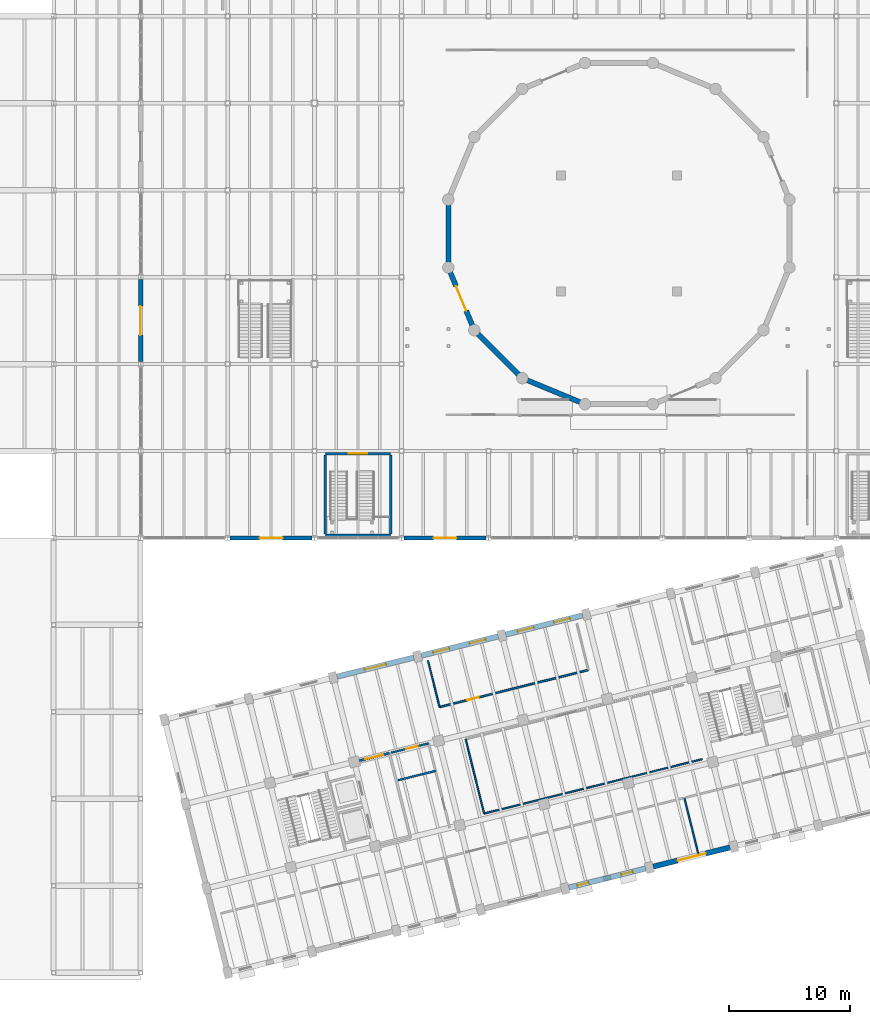
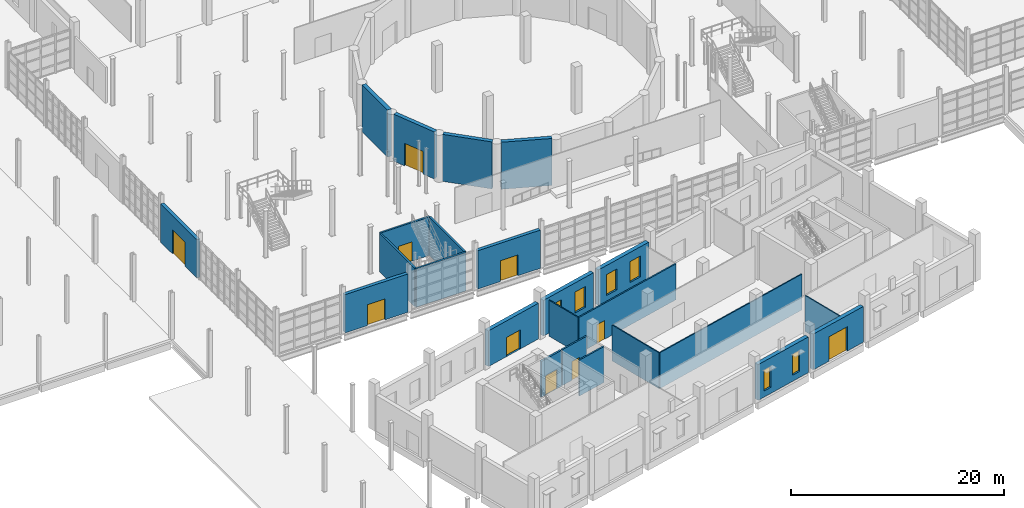
# One storey, part 64 of 79: 24 walls, 10 doors, 6 windows, 16 openings.
"""IFC4 building model written with IfcOpenShell, lengths in metres."""

from ifc_helpers import new_model, si_unit, direction, frame, frame_2d, origin, place, context, subcontext, project, spatial, rectangle, extrude, material, layer, layer_set, type_object, element, fill, save


model = new_model("IFC4")

# Units and contexts
model_context = context("Model", 3, precision=1e-05, world=origin(), true_north=direction((0.0, 1.0)))
body_context = subcontext(model_context, "Body", "Model", "MODEL_VIEW")
ifc_project = project(units=[si_unit("LENGTHUNIT", "METRE"), si_unit("AREAUNIT", "SQUARE_METRE"), si_unit("VOLUMEUNIT", "CUBIC_METRE"), si_unit("PLANEANGLEUNIT", "RADIAN"), si_unit("MASSUNIT", "GRAM", prefix="KILO")], contexts=[model_context])

# Site, building, storey
site_placement = place(None, origin())
site = spatial("IfcSite", under=ifc_project, at=site_placement, CompositionType="ELEMENT")
building_placement = place(site_placement, origin())
building = spatial("IfcBuilding", under=site, at=building_placement, Name="Qiaolan Assembly House", CompositionType="ELEMENT")
storey_placement = place(building_placement, origin())
storey = spatial("IfcBuildingStorey", under=building, at=storey_placement, Name="L00", CompositionType="ELEMENT", Elevation=0.0)

# Wall
ifc_material_1 = material(Name="Concrete C50/60", Category="concrete")
ifc_layer_1 = layer(ifc_material_1, 0.419921875)
ifc_layer_set_1 = layer_set([ifc_layer_1], Name="Concrete C50/60")
wall_type_1 = type_object("IfcWallType", Name="WAL-DRUM-420", PredefinedType="SHEAR", material=ifc_layer_set_1)
wall_1_placement = place(storey_placement, frame((54.276611328125, 58.790771484375, 0.0), z_axis=(0.0, 0.0, 1.0), x_axis=(0.0, 1.0, 0.0)))
element("IfcWall", 1, at=wall_1_placement, inside=storey, type_object=wall_type_1, Name="DW-420 council chamber drum wall 8 L00", PredefinedType="SHEAR", context=body_context, shape_type="SweptSolid", body=[
    extrude(rectangle(XDim=4.818603515625, YDim=0.419921875, at=frame_2d((2.4091796875, 0.0))), origin(), (0.0, 0.0, 1.0), 5.39990234375),
])

# Wall, opening, door
wall_2_placement = place(storey_placement, frame((56.273681640625, 53.5693359375, 0.0), z_axis=(0.0, 0.0, 1.0), x_axis=(-0.382675461762, 0.923882834003, 0.0)))
wall_2 = element("IfcWall", 2, at=wall_2_placement, inside=storey, type_object=wall_type_1, Name="DW-420 council chamber drum wall 9 L00", PredefinedType="SHEAR", context=body_context, shape_type="SweptSolid", body=[
    extrude(rectangle(XDim=4.818603515625, YDim=0.419921875, at=frame_2d((2.4091796875, 0.0))), origin(), (0.0, 0.0, 1.0), 5.39990234375),
])
opening_1_placement = place(wall_2_placement, frame((1.35009765625, 0.0, 0.0)))
opening_1 = element("IfcOpeningElement", 3, at=opening_1_placement, cuts=wall_2, Name="Opening CD-148", PredefinedType="OPENING", context=body_context, shape_type="SweptSolid", body=[
    extrude(rectangle(XDim=2.199951171875, YDim=2.60009765625, at=frame_2d((1.10009765625, 1.300048828125))), frame((0.0, 0.219970703125, 0.0), z_axis=(0.0, -1.0, 0.0), x_axis=(1.0, 0.0, 0.0)), (0.0, 0.0, 1.0), 0.43994140625),
])
ifc_material_2 = material(Name="Acoustic oak panelling")
door_type_1 = type_object("IfcDoorType", Name="DOR-CHAMBER-2200", OperationType="DOUBLE_DOOR_SINGLE_SWING", PredefinedType="DOOR", material=ifc_material_2)
door_1_placement = place(opening_1_placement, origin())
door_1 = element("IfcDoor", 4, at=door_1_placement, inside=storey, type_object=door_type_1, Name="Council Chamber ceremonial acoustic door CD-148", OperationType="DOUBLE_DOOR_SINGLE_SWING", OverallHeight=2.60009765625, OverallWidth=2.199951171875, PredefinedType="DOOR", context=body_context, shape_type="SweptSolid", body=[
    extrude(rectangle(XDim=2.199951171875, YDim=2.60009765625, at=frame_2d((1.10009765625, 1.300048828125))), frame((0.0, 0.02490234375, 0.0), z_axis=(0.0, -1.0, 0.0), x_axis=(1.0, 0.0, 0.0)), (0.0, 0.0, 1.0), 0.050048828125),
])
fill(opening_1, door_1)

# Walls
for number, where, z_axis, x_axis, name in (
    (5, (60.116943359375, 49.509765625, 0.0), (0.0, 0.0, 1.0), (-0.707106781187, 0.707106781187, 0.0), "DW-420 council chamber drum wall 10 L00"),
    (6, (65.22119140625, 47.229736328125, 0.0), (0.0, 0.0, 1.0), (-0.923882834003, 0.382675461762, 0.0), "DW-420 council chamber drum wall 11 L00"),
):
    element("IfcWall", number, at=place(storey_placement, frame(where, z_axis=z_axis, x_axis=x_axis)), inside=storey, type_object=wall_type_1, Name=name, PredefinedType="SHEAR", context=body_context, shape_type="SweptSolid", body=[
        extrude(rectangle(XDim=4.818603515625, YDim=0.419921875, at=frame_2d((2.4091796875, 0.0))), origin(), (0.0, 0.0, 1.0), 5.39990234375),
    ])

# Wall, opening, door
ifc_material_3 = material(Name="Honed pale limestone", Category="masonry")
ifc_layer_2 = layer(ifc_material_3, 0.360107421875)
ifc_layer_set_2 = layer_set([ifc_layer_2], Name="Honed pale limestone")
wall_type_2 = type_object("IfcWallType", Name="WAL-EXT-LIMESTONE-360", PredefinedType="SOLIDWALL", material=ifc_layer_set_2)
wall_3_placement = place(storey_placement, frame((28.800048828125, 50.597900390625, 0.0), z_axis=(0.0, 0.0, 1.0), x_axis=(0.0, 1.0, 0.0)))
wall_3 = element("IfcWall", 7, at=wall_3_placement, inside=storey, type_object=wall_type_2, Name="Public Hall West entrance portal wall 2", PredefinedType="SOLIDWALL", context=body_context, shape_type="SweptSolid", body=[
    extrude(rectangle(XDim=6.80419921875, YDim=0.360107421875, at=frame_2d((3.402099609375, 0.0))), origin(), (0.0, 0.0, 1.0), 4.39990234375),
])
opening_2_placement = place(wall_3_placement, frame((2.201904296875, 0.0, 0.0)))
opening_2 = element("IfcOpeningElement", 8, at=opening_2_placement, cuts=wall_3, Name="Opening HD-023", PredefinedType="OPENING", context=body_context, shape_type="SweptSolid", body=[
    extrude(rectangle(XDim=2.39990234375, YDim=2.800048828125, at=frame_2d((1.199951171875, 1.39990234375))), frame((0.0, 0.18994140625, 0.0), z_axis=(0.0, -1.0, 0.0), x_axis=(1.0, 0.0, 0.0)), (0.0, 0.0, 1.0), 0.380126953125),
])
ifc_material_4 = material(Name="Anodised bronze aluminium", Category="aluminium")
door_type_2 = type_object("IfcDoorType", Name="DOR-ENTRY-MON-2400", OperationType="DOUBLE_DOOR_SINGLE_SWING", PredefinedType="DOOR", material=ifc_material_4)
door_2_placement = place(opening_2_placement, frame((2.39990234375, 0.0, 0.0), z_axis=(0.0, 0.0, 1.0), x_axis=(-1.0, 0.0, 0.0)))
door_2 = element("IfcDoor", 9, at=door_2_placement, inside=storey, type_object=door_type_2, Name="Public Hall West Forecourt entrance door HD-023", OperationType="DOUBLE_DOOR_SINGLE_SWING", OverallHeight=2.800048828125, OverallWidth=2.39990234375, PredefinedType="DOOR", context=body_context, shape_type="SweptSolid", body=[
    extrude(rectangle(XDim=2.39990234375, YDim=2.800048828125, at=frame_2d((1.199951171875, 1.39990234375))), frame((0.0, 0.02490234375, 0.0), z_axis=(0.0, -1.0, 0.0), x_axis=(1.0, 0.0, 0.0)), (0.0, 0.0, 1.0), 0.050048828125),
])
fill(opening_2, door_2)

wall_4_placement = place(storey_placement, frame((36.197998046875, 36.0, 0.0), z_axis=(0.0, 0.0, 1.0), x_axis=(1.0, 0.0, 0.0)))
wall_4 = element("IfcWall", 10, at=wall_4_placement, inside=storey, type_object=wall_type_2, Name="Public Hall South plaza portal 1", PredefinedType="SOLIDWALL", context=body_context, shape_type="SweptSolid", body=[
    extrude(rectangle(XDim=6.803955078125, YDim=0.360107421875, at=frame_2d((3.40185546875, 0.0))), origin(), (0.0, 0.0, 1.0), 4.39990234375),
])
opening_3_placement = place(wall_4_placement, frame((2.451904296875, 0.0, 0.0)))
opening_3 = element("IfcOpeningElement", 11, at=opening_3_placement, cuts=wall_4, Name="Opening HD-025", PredefinedType="OPENING", context=body_context, shape_type="SweptSolid", body=[
    extrude(rectangle(XDim=1.89990234375, YDim=2.39990234375, at=frame_2d((0.949951171875, 1.199951171875))), frame((0.0, 0.18994140625, 0.0), z_axis=(0.0, -1.0, 0.0), x_axis=(1.0, 0.0, 0.0)), (0.0, 0.0, 1.0), 0.380126953125),
])
door_type_3 = type_object("IfcDoorType", Name="DOR-HALL-GLZ-1900", OperationType="DOUBLE_DOOR_SINGLE_SWING", PredefinedType="DOOR", material=ifc_material_4)
door_3_placement = place(opening_3_placement, frame((1.89990234375, 0.0, 0.0), z_axis=(0.0, 0.0, 1.0), x_axis=(-1.0, 0.0, 0.0)))
door_3 = element("IfcDoor", 12, at=door_3_placement, inside=storey, type_object=door_type_3, Name="Public Hall South Forecourt entrance door HD-025", OperationType="DOUBLE_DOOR_SINGLE_SWING", OverallHeight=2.39990234375, OverallWidth=1.89990234375, PredefinedType="DOOR", context=body_context, shape_type="SweptSolid", body=[
    extrude(rectangle(XDim=1.89990234375, YDim=2.39990234375, at=frame_2d((0.949951171875, 1.199951171875))), frame((0.0, 0.02490234375, 0.0), z_axis=(0.0, -1.0, 0.0), x_axis=(1.0, 0.0, 0.0)), (0.0, 0.0, 1.0), 0.050048828125),
])
fill(opening_3, door_3)

wall_5_placement = place(storey_placement, frame((50.597900390625, 36.0, 0.0), z_axis=(0.0, 0.0, 1.0), x_axis=(1.0, 0.0, 0.0)))
wall_5 = element("IfcWall", 13, at=wall_5_placement, inside=storey, type_object=wall_type_2, Name="Public Hall South plaza portal 3", PredefinedType="SOLIDWALL", context=body_context, shape_type="SweptSolid", body=[
    extrude(rectangle(XDim=6.80419921875, YDim=0.360107421875, at=frame_2d((3.402099609375, 0.0))), origin(), (0.0, 0.0, 1.0), 4.39990234375),
])
opening_4_placement = place(wall_5_placement, frame((2.451904296875, 0.0, 0.0)))
opening_4 = element("IfcOpeningElement", 14, at=opening_4_placement, cuts=wall_5, Name="Opening HD-026", PredefinedType="OPENING", context=body_context, shape_type="SweptSolid", body=[
    extrude(rectangle(XDim=1.89990234375, YDim=2.39990234375, at=frame_2d((0.949951171875, 1.199951171875))), frame((0.0, 0.18994140625, 0.0), z_axis=(0.0, -1.0, 0.0), x_axis=(1.0, 0.0, 0.0)), (0.0, 0.0, 1.0), 0.380126953125),
])
door_4_placement = place(opening_4_placement, frame((1.89990234375, 0.0, 0.0), z_axis=(0.0, 0.0, 1.0), x_axis=(-1.0, 0.0, 0.0)))
door_4 = element("IfcDoor", 15, at=door_4_placement, inside=storey, type_object=door_type_3, Name="Public Hall South Forecourt entrance door HD-026", OperationType="DOUBLE_DOOR_SINGLE_SWING", OverallHeight=2.39990234375, OverallWidth=1.89990234375, PredefinedType="DOOR", context=body_context, shape_type="SweptSolid", body=[
    extrude(rectangle(XDim=1.89990234375, YDim=2.39990234375, at=frame_2d((0.949951171875, 1.199951171875))), frame((0.0, 0.02490234375, 0.0), z_axis=(0.0, -1.0, 0.0), x_axis=(1.0, 0.0, 0.0)), (0.0, 0.0, 1.0), 0.050048828125),
])
fill(opening_4, door_4)

# Wall, openings, windows
ifc_layer_3 = layer(ifc_material_3, 0.43505859375)
ifc_layer_set_3 = layer_set([ifc_layer_3], Name="Honed pale limestone")
wall_type_3 = type_object("IfcWallType", Name="WAL-EXT-RUSTIC-420", PredefinedType="SOLIDWALL", material=ifc_layer_set_3)
wall_6_placement = place(storey_placement, frame((64.2578125, 7.04541015625, 0.0), z_axis=(0.0, 0.0, 1.0), x_axis=(0.970291317579, 0.24193957723, 0.0)))
wall_6 = element("IfcWall", 16, at=wall_6_placement, inside=storey, type_object=wall_type_3, Name="EW-420 SE South boulevard wall L00 bay 5", PredefinedType="SOLIDWALL", context=body_context, shape_type="SweptSolid", body=[
    extrude(rectangle(XDim=6.55419921875, YDim=0.43505859375, at=frame_2d((3.277099609375, 0.0))), origin(), (0.0, 0.0, 1.0), 4.10009765625),
])
opening_5_placement = place(wall_6_placement, frame((0.72705078125, 0.0, 0.699951171875)))
opening_5 = element("IfcOpeningElement", 17, at=opening_5_placement, cuts=wall_6, Name="Opening WN-228", PredefinedType="OPENING", context=body_context, shape_type="SweptSolid", body=[
    extrude(rectangle(XDim=0.949951171875, YDim=2.39990234375, at=frame_2d((0.47509765625, 1.199951171875))), frame((0.0, 0.2275390625, 0.0), z_axis=(0.0, -1.0, 0.0), x_axis=(1.0, 0.0, 0.0)), (0.0, 0.0, 1.0), 0.455078125),
])
opening_6_placement = place(wall_6_placement, frame((4.47705078125, 0.0, 0.699951171875)))
opening_6 = element("IfcOpeningElement", 18, at=opening_6_placement, cuts=wall_6, Name="Opening WN-229", PredefinedType="OPENING", context=body_context, shape_type="SweptSolid", body=[
    extrude(rectangle(XDim=0.949951171875, YDim=2.39990234375, at=frame_2d((0.47509765625, 1.199951171875))), frame((0.0, 0.2275390625, 0.0), z_axis=(0.0, -1.0, 0.0), x_axis=(1.0, 0.0, 0.0)), (0.0, 0.0, 1.0), 0.455078125),
])
ifc_material_5 = material(Name="Low-E double insulating glass", Category="glass")
window_type_1 = type_object("IfcWindowType", Name="WIN-PUNCH-950x2400", PartitioningType="SINGLE_PANEL", PredefinedType="WINDOW", material=ifc_material_5)
window_1_placement = place(opening_5_placement, origin())
window_1 = element("IfcWindow", 19, at=window_1_placement, inside=storey, type_object=window_type_1, Name="WN-T06 splayed window WN-228", OverallHeight=2.39990234375, OverallWidth=0.949951171875, PartitioningType="SINGLE_PANEL", PredefinedType="WINDOW", context=body_context, shape_type="SweptSolid", body=[
    extrude(rectangle(XDim=0.949951171875, YDim=2.39990234375, at=frame_2d((0.47509765625, 1.199951171875))), frame((0.0, 0.030029296875, 0.0), z_axis=(0.0, -1.0, 0.0), x_axis=(1.0, 0.0, 0.0)), (0.0, 0.0, 1.0), 0.06005859375),
])
fill(opening_5, window_1)
window_2_placement = place(opening_6_placement, origin())
window_2 = element("IfcWindow", 20, at=window_2_placement, inside=storey, type_object=window_type_1, Name="WN-T06 splayed window WN-229", OverallHeight=2.39990234375, OverallWidth=0.949951171875, PartitioningType="SINGLE_PANEL", PredefinedType="WINDOW", context=body_context, shape_type="SweptSolid", body=[
    extrude(rectangle(XDim=0.949951171875, YDim=2.39990234375, at=frame_2d((0.47509765625, 1.199951171875))), frame((0.0, 0.030029296875, 0.0), z_axis=(0.0, -1.0, 0.0), x_axis=(1.0, 0.0, 0.0)), (0.0, 0.0, 1.0), 0.06005859375),
])
fill(opening_6, window_2)

# Wall, opening, door
wall_7_placement = place(storey_placement, frame((71.244140625, 8.787353515625, 0.0), z_axis=(0.0, 0.0, 1.0), x_axis=(0.970297881629, 0.241913250789, 0.0)))
wall_7 = element("IfcWall", 21, at=wall_7_placement, inside=storey, type_object=wall_type_3, Name="EW-420 SE South boulevard wall L00 bay 6", PredefinedType="SOLIDWALL", context=body_context, shape_type="SweptSolid", body=[
    extrude(rectangle(XDim=6.5537109375, YDim=0.43505859375, at=frame_2d((3.27685546875, 0.0))), origin(), (0.0, 0.0, 1.0), 4.10009765625),
])
opening_7_placement = place(wall_7_placement, frame((2.076904296875, 0.0, 0.0)))
opening_7 = element("IfcOpeningElement", 22, at=opening_7_placement, cuts=wall_7, Name="Opening ED-013", PredefinedType="OPENING", context=body_context, shape_type="SweptSolid", body=[
    extrude(rectangle(XDim=2.39990234375, YDim=2.800048828125, at=frame_2d((1.199951171875, 1.39990234375))), frame((0.0, 0.2275390625, 0.0), z_axis=(0.0, -1.0, 0.0), x_axis=(1.0, 0.0, 0.0)), (0.0, 0.0, 1.0), 0.455078125),
])
door_5_placement = place(opening_7_placement, frame((2.39990234375, 0.0, 0.0), z_axis=(0.0, 0.0, 1.0), x_axis=(-1.0, 0.0, 0.0)))
door_5 = element("IfcDoor", 23, at=door_5_placement, inside=storey, type_object=door_type_2, Name="South Boulevard civic public entrance ED-013", OperationType="DOUBLE_DOOR_SINGLE_SWING", OverallHeight=2.800048828125, OverallWidth=2.39990234375, PredefinedType="DOOR", context=body_context, shape_type="SweptSolid", body=[
    extrude(rectangle(XDim=2.39990234375, YDim=2.800048828125, at=frame_2d((1.199951171875, 1.39990234375))), frame((0.0, 0.02490234375, 0.0), z_axis=(0.0, -1.0, 0.0), x_axis=(1.0, 0.0, 0.0)), (0.0, 0.0, 1.0), 0.050048828125),
])
fill(opening_7, door_5)

wall_8_placement = place(storey_placement, frame((51.41943359375, 26.105712890625, 0.0), z_axis=(0.0, 0.0, 1.0), x_axis=(-0.970300061562, -0.241904507055, 0.0)))
wall_8 = element("IfcWall", 24, at=wall_8_placement, inside=storey, type_object=wall_type_3, Name="EW-420 SE North court wall L00 bay 3", PredefinedType="SOLIDWALL", context=body_context, shape_type="SweptSolid", body=[
    extrude(rectangle(XDim=6.553955078125, YDim=0.43505859375, at=frame_2d((3.27685546875, 0.0))), origin(), (0.0, 0.0, 1.0), 4.10009765625),
])
opening_8_placement = place(wall_8_placement, frame((2.376953125, 0.0, 0.0)))
opening_8 = element("IfcOpeningElement", 25, at=opening_8_placement, cuts=wall_8, Name="Opening ED-015", PredefinedType="OPENING", context=body_context, shape_type="SweptSolid", body=[
    extrude(rectangle(XDim=1.800048828125, YDim=2.199951171875, at=frame_2d((0.89990234375, 1.10009765625))), frame((0.0, 0.2275390625, 0.0), z_axis=(0.0, -1.0, 0.0), x_axis=(1.0, 0.0, 0.0)), (0.0, 0.0, 1.0), 0.455078125),
])
door_type_4 = type_object("IfcDoorType", Name="DOR-CORR-DBL-1800", OperationType="DOUBLE_DOOR_SINGLE_SWING", PredefinedType="DOOR", material=ifc_material_4)
door_6_placement = place(opening_8_placement, frame((1.800048828125, 0.0, 0.0), z_axis=(0.0, 0.0, 1.0), x_axis=(-1.0, 0.0, 0.0)))
door_6 = element("IfcDoor", 26, at=door_6_placement, inside=storey, type_object=door_type_4, Name="SE Wing court/bridge portal ED-015", OperationType="DOUBLE_DOOR_SINGLE_SWING", OverallHeight=2.199951171875, OverallWidth=1.800048828125, PredefinedType="DOOR", context=body_context, shape_type="SweptSolid", body=[
    extrude(rectangle(XDim=1.800048828125, YDim=2.199951171875, at=frame_2d((0.89990234375, 1.10009765625))), frame((0.0, 0.02490234375, 0.0), z_axis=(0.0, -1.0, 0.0), x_axis=(1.0, 0.0, 0.0)), (0.0, 0.0, 1.0), 0.050048828125),
])
fill(opening_8, door_6)

# Wall, openings, windows
wall_9_placement = place(storey_placement, frame((58.405517578125, 27.84765625, 0.0), z_axis=(0.0, 0.0, 1.0), x_axis=(-0.970289137034, -0.241948322073, 0.0)))
wall_9 = element("IfcWall", 27, at=wall_9_placement, inside=storey, type_object=wall_type_3, Name="EW-420 SE North court wall L00 bay 4", PredefinedType="SOLIDWALL", context=body_context, shape_type="SweptSolid", body=[
    extrude(rectangle(XDim=6.553955078125, YDim=0.43505859375, at=frame_2d((3.27685546875, 0.0))), origin(), (0.0, 0.0, 1.0), 4.10009765625),
])
opening_9_placement = place(wall_9_placement, frame((1.076904296875, 0.0, 0.64990234375)))
opening_9 = element("IfcOpeningElement", 28, at=opening_9_placement, cuts=wall_9, Name="Opening WN-236", PredefinedType="OPENING", context=body_context, shape_type="SweptSolid", body=[
    extrude(rectangle(XDim=1.35009765625, YDim=2.39990234375, at=frame_2d((0.675048828125, 1.199951171875))), frame((0.0, 0.2275390625, 0.0), z_axis=(0.0, -1.0, 0.0), x_axis=(1.0, 0.0, 0.0)), (0.0, 0.0, 1.0), 0.455078125),
])
opening_10_placement = place(wall_9_placement, frame((4.177001953125, 0.0, 0.64990234375)))
opening_10 = element("IfcOpeningElement", 29, at=opening_10_placement, cuts=wall_9, Name="Opening WN-237", PredefinedType="OPENING", context=body_context, shape_type="SweptSolid", body=[
    extrude(rectangle(XDim=1.35009765625, YDim=2.39990234375, at=frame_2d((0.675048828125, 1.199951171875))), frame((0.0, 0.2275390625, 0.0), z_axis=(0.0, -1.0, 0.0), x_axis=(1.0, 0.0, 0.0)), (0.0, 0.0, 1.0), 0.455078125),
])
window_type_2 = type_object("IfcWindowType", Name="WIN-COURT-1350x2400", PartitioningType="DOUBLE_PANEL_VERTICAL", PredefinedType="WINDOW", material=ifc_material_5)
window_3_placement = place(opening_9_placement, origin())
window_3 = element("IfcWindow", 30, at=window_3_placement, inside=storey, type_object=window_type_2, Name="SE court window WN-236", OverallHeight=2.39990234375, OverallWidth=1.35009765625, PartitioningType="DOUBLE_PANEL_VERTICAL", PredefinedType="WINDOW", context=body_context, shape_type="SweptSolid", body=[
    extrude(rectangle(XDim=1.35009765625, YDim=2.39990234375, at=frame_2d((0.675048828125, 1.199951171875))), frame((0.0, 0.030029296875, 0.0), z_axis=(0.0, -1.0, 0.0), x_axis=(1.0, 0.0, 0.0)), (0.0, 0.0, 1.0), 0.06005859375),
])
fill(opening_9, window_3)
window_4_placement = place(opening_10_placement, origin())
window_4 = element("IfcWindow", 31, at=window_4_placement, inside=storey, type_object=window_type_2, Name="SE court window WN-237", OverallHeight=2.39990234375, OverallWidth=1.35009765625, PartitioningType="DOUBLE_PANEL_VERTICAL", PredefinedType="WINDOW", context=body_context, shape_type="SweptSolid", body=[
    extrude(rectangle(XDim=1.35009765625, YDim=2.39990234375, at=frame_2d((0.675048828125, 1.199951171875))), frame((0.0, 0.030029296875, 0.0), z_axis=(0.0, -1.0, 0.0), x_axis=(1.0, 0.0, 0.0)), (0.0, 0.0, 1.0), 0.06005859375),
])
fill(opening_10, window_4)

wall_10_placement = place(storey_placement, frame((65.391845703125, 29.58935546875, 0.0), z_axis=(0.0, 0.0, 1.0), x_axis=(-0.970300061562, -0.241904507055, 0.0)))
wall_10 = element("IfcWall", 32, at=wall_10_placement, inside=storey, type_object=wall_type_3, Name="EW-420 SE North court wall L00 bay 5", PredefinedType="SOLIDWALL", context=body_context, shape_type="SweptSolid", body=[
    extrude(rectangle(XDim=6.553955078125, YDim=0.43505859375, at=frame_2d((3.27685546875, 0.0))), origin(), (0.0, 0.0, 1.0), 4.10009765625),
])
opening_11_placement = place(wall_10_placement, frame((1.076904296875, 0.0, 0.64990234375)))
opening_11 = element("IfcOpeningElement", 33, at=opening_11_placement, cuts=wall_10, Name="Opening WN-238", PredefinedType="OPENING", context=body_context, shape_type="SweptSolid", body=[
    extrude(rectangle(XDim=1.35009765625, YDim=2.39990234375, at=frame_2d((0.675048828125, 1.199951171875))), frame((0.0, 0.2275390625, 0.0), z_axis=(0.0, -1.0, 0.0), x_axis=(1.0, 0.0, 0.0)), (0.0, 0.0, 1.0), 0.455078125),
])
opening_12_placement = place(wall_10_placement, frame((4.177001953125, 0.0, 0.64990234375)))
opening_12 = element("IfcOpeningElement", 34, at=opening_12_placement, cuts=wall_10, Name="Opening WN-239", PredefinedType="OPENING", context=body_context, shape_type="SweptSolid", body=[
    extrude(rectangle(XDim=1.35009765625, YDim=2.39990234375, at=frame_2d((0.675048828125, 1.199951171875))), frame((0.0, 0.2275390625, 0.0), z_axis=(0.0, -1.0, 0.0), x_axis=(1.0, 0.0, 0.0)), (0.0, 0.0, 1.0), 0.455078125),
])
window_5_placement = place(opening_11_placement, origin())
window_5 = element("IfcWindow", 35, at=window_5_placement, inside=storey, type_object=window_type_2, Name="SE court window WN-238", OverallHeight=2.39990234375, OverallWidth=1.35009765625, PartitioningType="DOUBLE_PANEL_VERTICAL", PredefinedType="WINDOW", context=body_context, shape_type="SweptSolid", body=[
    extrude(rectangle(XDim=1.35009765625, YDim=2.39990234375, at=frame_2d((0.675048828125, 1.199951171875))), frame((0.0, 0.030029296875, 0.0), z_axis=(0.0, -1.0, 0.0), x_axis=(1.0, 0.0, 0.0)), (0.0, 0.0, 1.0), 0.06005859375),
])
fill(opening_11, window_5)
window_6_placement = place(opening_12_placement, origin())
window_6 = element("IfcWindow", 36, at=window_6_placement, inside=storey, type_object=window_type_2, Name="SE court window WN-239", OverallHeight=2.39990234375, OverallWidth=1.35009765625, PartitioningType="DOUBLE_PANEL_VERTICAL", PredefinedType="WINDOW", context=body_context, shape_type="SweptSolid", body=[
    extrude(rectangle(XDim=1.35009765625, YDim=2.39990234375, at=frame_2d((0.675048828125, 1.199951171875))), frame((0.0, 0.030029296875, 0.0), z_axis=(0.0, -1.0, 0.0), x_axis=(1.0, 0.0, 0.0)), (0.0, 0.0, 1.0), 0.06005859375),
])
fill(opening_12, window_6)

# Wall, opening, door
ifc_material_6 = material(Name="Concrete C35/45", Category="concrete")
ifc_layer_4 = layer(ifc_material_6, 0.199951171875)
ifc_layer_set_4 = layer_set([ifc_layer_4], Name="Concrete C35/45")
wall_type_4 = type_object("IfcWallType", Name="WAL-LOBBY-200", PredefinedType="PARTITIONING", material=ifc_layer_set_4)
wall_11_placement = place(storey_placement, frame((44.10009765625, 42.97998046875, 0.0), z_axis=(0.0, 0.0, 1.0), x_axis=(1.0, 0.0, 0.0)))
wall_11 = element("IfcWall", 37, at=wall_11_placement, inside=storey, type_object=wall_type_4, Name="LW-200 foyer stairwell north wall F1 L00", PredefinedType="PARTITIONING", context=body_context, shape_type="SweptSolid", body=[
    extrude(rectangle(XDim=5.39990234375, YDim=0.199951171875, at=frame_2d((2.699951171875, 0.0))), origin(), (0.0, 0.0, 1.0), 4.419921875),
])
opening_13_placement = place(wall_11_placement, frame((1.949951171875, 0.0, 0.0)))
opening_13 = element("IfcOpeningElement", 38, at=opening_13_placement, cuts=wall_11, Name="Opening FD-910", PredefinedType="OPENING", context=body_context, shape_type="SweptSolid", body=[
    extrude(rectangle(XDim=1.5, YDim=2.199951171875, at=frame_2d((0.75, 1.10009765625))), frame((0.0, 0.10986328125, 0.0), z_axis=(0.0, -1.0, 0.0), x_axis=(1.0, 0.0, 0.0)), (0.0, 0.0, 1.0), 0.219970703125),
])
door_type_5 = type_object("IfcDoorType", Name="DOR-LOBBY-FD60-1500", OperationType="DOUBLE_DOOR_SINGLE_SWING", PredefinedType="DOOR", material=ifc_material_2)
door_7_placement = place(opening_13_placement, origin())
door_7 = element("IfcDoor", 39, at=door_7_placement, inside=storey, type_object=door_type_5, Name="Foyer stairwell fire door FD-910", OperationType="DOUBLE_DOOR_SINGLE_SWING", OverallHeight=2.199951171875, OverallWidth=1.5, PredefinedType="DOOR", context=body_context, shape_type="SweptSolid", body=[
    extrude(rectangle(XDim=1.5, YDim=2.199951171875, at=frame_2d((0.75, 1.10009765625))), frame((0.0, 0.02490234375, 0.0), z_axis=(0.0, -1.0, 0.0), x_axis=(1.0, 0.0, 0.0)), (0.0, 0.0, 1.0), 0.050048828125),
])
fill(opening_13, door_7)

# Walls
wall_12_placement = place(storey_placement, frame((49.5, 36.219970703125, 0.0), z_axis=(0.0, 0.0, 1.0), x_axis=(-1.0, 0.0, 0.0)))
element("IfcWall", 40, at=wall_12_placement, inside=storey, type_object=wall_type_4, Name="LW-200 foyer stairwell south wall F1 L00", PredefinedType="PARTITIONING", context=body_context, shape_type="SweptSolid", body=[
    extrude(rectangle(XDim=5.39990234375, YDim=0.199951171875, at=frame_2d((2.699951171875, 0.0))), origin(), (0.0, 0.0, 1.0), 4.419921875),
])
for number, where, z_axis, x_axis, name in (
    (41, (44.10009765625, 42.8798828125, 0.0), (0.0, 0.0, 1.0), (0.0, -1.0, 0.0), "LW-200 foyer stairwell west wall F1 L00"),
    (42, (49.5, 36.320068359375, 0.0), (0.0, 0.0, 1.0), (0.0, 1.0, 0.0), "LW-200 foyer stairwell east wall F1 L00"),
):
    element("IfcWall", number, at=place(storey_placement, frame(where, z_axis=z_axis, x_axis=x_axis)), inside=storey, type_object=wall_type_4, Name=name, PredefinedType="PARTITIONING", context=body_context, shape_type="SweptSolid", body=[
        extrude(rectangle(XDim=6.559814453125, YDim=0.199951171875, at=frame_2d((3.27978515625, 0.0))), origin(), (0.0, 0.0, 1.0), 4.419921875),
    ])

# Wall, opening, door
wall_13_placement = place(storey_placement, frame((49.3994140625, 18.181640625, 0.0), z_axis=(0.0, 0.0, 1.0), x_axis=(-0.970309259708, -0.2418676095, 0.0)))
wall_13 = element("IfcWall", 43, at=wall_13_placement, inside=storey, type_object=wall_type_4, Name="Firefighting lift lobby north wall CORE-C L00", PredefinedType="PARTITIONING", context=body_context, shape_type="SweptSolid", body=[
    extrude(rectangle(XDim=2.580078125, YDim=0.199951171875, at=frame_2d((1.2900390625, 0.0))), origin(), (0.0, 0.0, 1.0), 4.1201171875),
])
opening_14_placement = place(wall_13_placement, frame((0.550048828125, 0.0, 0.0)))
opening_14 = element("IfcOpeningElement", 44, at=opening_14_placement, cuts=wall_13, Name="Opening FD-072", PredefinedType="OPENING", context=body_context, shape_type="SweptSolid", body=[
    extrude(rectangle(XDim=1.5, YDim=2.199951171875, at=frame_2d((0.75, 1.10009765625))), frame((0.0, 0.10986328125, 0.0), z_axis=(0.0, -1.0, 0.0), x_axis=(1.0, 0.0, 0.0)), (0.0, 0.0, 1.0), 0.219970703125),
])
door_8_placement = place(opening_14_placement, frame((1.5, 0.0, 0.0), z_axis=(0.0, 0.0, 1.0), x_axis=(-1.0, 0.0, 0.0)))
door_8 = element("IfcDoor", 45, at=door_8_placement, inside=storey, type_object=door_type_5, Name="Lobby corridor fire door FD-072", OperationType="DOUBLE_DOOR_SINGLE_SWING", OverallHeight=2.199951171875, OverallWidth=1.5, PredefinedType="DOOR", context=body_context, shape_type="SweptSolid", body=[
    extrude(rectangle(XDim=1.5, YDim=2.199951171875, at=frame_2d((0.75, 1.10009765625))), frame((0.0, 0.02490234375, 0.0), z_axis=(0.0, -1.0, 0.0), x_axis=(1.0, 0.0, 0.0)), (0.0, 0.0, 1.0), 0.050048828125),
])
fill(opening_14, door_8)

# Walls
ifc_material_7 = material(Name="Gypsum plasterboard partition")
ifc_layer_5 = layer(ifc_material_7, 0.1201171875)
ifc_layer_set_5 = layer_set([ifc_layer_5], Name="Gypsum plasterboard partition")
wall_type_5 = type_object("IfcWallType", Name="WAL-PART-120", PredefinedType="PARTITIONING", material=ifc_layer_set_5)
wall_14_placement = place(storey_placement, frame((74.96240234375, 9.89990234375, 0.0), z_axis=(0.0, 0.0, 1.0), x_axis=(-0.241945139998, 0.970289930501, 0.0)))
element("IfcWall", 46, at=wall_14_placement, inside=storey, type_object=wall_type_5, Name="Public Waiting Concourse & Queue Ticketing Lounge demising wall", PredefinedType="PARTITIONING", context=body_context, shape_type="SweptSolid", body=[
    extrude(rectangle(XDim=4.669921875, YDim=0.1201171875, at=frame_2d((2.3349609375, 0.0))), origin(), (0.0, 0.0, 1.0), 4.1201171875),
])
wall_15_placement = place(storey_placement, frame((57.242431640625, 13.180419921875, 0.0), z_axis=(0.0, 0.0, 1.0), x_axis=(0.970295185925, 0.24192406282, 0.0)))
element("IfcWall", 47, at=wall_15_placement, inside=storey, type_object=wall_type_5, Name="Citizens Service Centre — Self-Service Kiosk Hall south partition", PredefinedType="PARTITIONING", context=body_context, shape_type="SweptSolid", body=[
    extrude(rectangle(XDim=18.599853515625, YDim=0.1201171875, at=frame_2d((9.2998046875, 0.0))), origin(), (0.0, 0.0, 1.0), 4.1201171875),
])
wall_16_placement = place(storey_placement, frame((57.242431640625, 13.180419921875, 0.0), z_axis=(0.0, 0.0, 1.0), x_axis=(-0.241947566099, 0.970289325541, 0.0)))
element("IfcWall", 48, at=wall_16_placement, inside=storey, type_object=wall_type_5, Name="Citizens Service Centre — Self-Service Kiosk Hall west partition", PredefinedType="PARTITIONING", context=body_context, shape_type="SweptSolid", body=[
    extrude(rectangle(XDim=6.35009765625, YDim=0.1201171875, at=frame_2d((3.175048828125, 0.0))), origin(), (0.0, 0.0, 1.0), 4.1201171875),
])
wall_17_placement = place(storey_placement, frame((53.54931640625, 21.9990234375, 0.0), z_axis=(0.0, 0.0, 1.0), x_axis=(-0.241910239337, 0.970298632434, 0.0)))
element("IfcWall", 49, at=wall_17_placement, inside=storey, type_object=wall_type_5, Name="Court Outlook Consultation Suite L00 west wall", PredefinedType="PARTITIONING", context=body_context, shape_type="SweptSolid", body=[
    extrude(rectangle(XDim=3.9501953125, YDim=0.1201171875, at=frame_2d((1.97509765625, 0.0))), origin(), (0.0, 0.0, 1.0), 4.1201171875),
])

# Wall, opening, door
ifc_layer_6 = layer(ifc_material_7, 0.14990234375)
ifc_layer_set_6 = layer_set([ifc_layer_6], Name="Gypsum plasterboard partition")
wall_type_6 = type_object("IfcWallType", Name="WAL-PART-150", PredefinedType="PARTITIONING", material=ifc_layer_set_6)
wall_18_placement = place(storey_placement, frame((53.54931640625, 21.9990234375, 0.0), z_axis=(0.0, 0.0, 1.0), x_axis=(0.970293838297, 0.241929467745, 0.0)))
wall_18 = element("IfcWall", 50, at=wall_18_placement, inside=storey, type_object=wall_type_6, Name="Court Outlook Consultation Suite L00 south wall", PredefinedType="PARTITIONING", context=body_context, shape_type="SweptSolid", body=[
    extrude(rectangle(XDim=12.699951171875, YDim=0.14990234375, at=frame_2d((6.35009765625, 0.0))), origin(), (0.0, 0.0, 1.0), 4.1201171875),
])
opening_15_placement = place(wall_18_placement, frame((2.35009765625, 0.0, 0.0)))
opening_15 = element("IfcOpeningElement", 51, at=opening_15_placement, cuts=wall_18, Name="Opening SD-239", PredefinedType="OPENING", context=body_context, shape_type="SweptSolid", body=[
    extrude(rectangle(XDim=1.0, YDim=2.14990234375, at=frame_2d((0.5, 1.074951171875))), frame((0.0, 0.0849609375, 0.0), z_axis=(0.0, -1.0, 0.0), x_axis=(1.0, 0.0, 0.0)), (0.0, 0.0, 1.0), 0.169921875),
])
door_type_6 = type_object("IfcDoorType", Name="DOR-OFF-SGL-1000", OperationType="NOTDEFINED", PredefinedType="DOOR", material=ifc_material_2)
door_9_placement = place(opening_15_placement, origin())
door_9 = element("IfcDoor", 52, at=door_9_placement, inside=storey, type_object=door_type_6, Name="Court Outlook Consultation Suite L00 door SD-239", OperationType="SINGLE_SWING_RIGHT", OverallHeight=2.14990234375, OverallWidth=1.0, PredefinedType="DOOR", context=body_context, shape_type="SweptSolid", body=[
    extrude(rectangle(XDim=1.0, YDim=2.14990234375, at=frame_2d((0.5, 1.074951171875))), frame((0.0, 0.02490234375, 0.0), z_axis=(0.0, -1.0, 0.0), x_axis=(1.0, 0.0, 0.0)), (0.0, 0.0, 1.0), 0.050048828125),
])
fill(opening_15, door_9)

ifc_material_8 = material(Name="Concrete C30/37", Category="concrete")
ifc_layer_7 = layer(ifc_material_8, 0.1650390625)
ifc_layer_set_7 = layer_set([ifc_layer_7], Name="Concrete C30/37")
wall_type_7 = type_object("IfcWallType", Name="WAL-WET-150", PredefinedType="PARTITIONING", material=ifc_layer_set_7)
wall_19_placement = place(storey_placement, frame((52.64990234375, 18.9921875, 0.0), z_axis=(0.0, 0.0, 1.0), x_axis=(-0.970294894235, -0.241925232711, 0.0)))
wall_19 = element("IfcWall", 53, at=wall_19_placement, inside=storey, type_object=wall_type_7, Name="Accessible WC corridor wall CORE-C L00", PredefinedType="PARTITIONING", context=body_context, shape_type="SweptSolid", body=[
    extrude(rectangle(XDim=3.199951171875, YDim=0.1650390625, at=frame_2d((1.60009765625, 0.0))), origin(), (0.0, 0.0, 1.0), 4.1201171875),
])
opening_16_placement = place(wall_19_placement, frame((0.949951171875, 0.0, 0.0)))
opening_16 = element("IfcOpeningElement", 54, at=opening_16_placement, cuts=wall_19, Name="Opening AD-074", PredefinedType="OPENING", context=body_context, shape_type="SweptSolid", body=[
    extrude(rectangle(XDim=0.949951171875, YDim=2.14990234375, at=frame_2d((0.47509765625, 1.074951171875))), frame((0.0, 0.092529296875, 0.0), z_axis=(0.0, -1.0, 0.0), x_axis=(1.0, 0.0, 0.0)), (0.0, 0.0, 1.0), 0.18505859375),
])
door_type_7 = type_object("IfcDoorType", Name="DOR-ACC-WC-950", OperationType="NOTDEFINED", PredefinedType="DOOR", material=ifc_material_2)
door_10_placement = place(opening_16_placement, origin())
door_10 = element("IfcDoor", 55, at=door_10_placement, inside=storey, type_object=door_type_7, Name="Accessible Restroom door AD-074", OperationType="SINGLE_SWING_LEFT", OverallHeight=2.14990234375, OverallWidth=0.949951171875, PredefinedType="DOOR", context=body_context, shape_type="SweptSolid", body=[
    extrude(rectangle(XDim=0.949951171875, YDim=2.14990234375, at=frame_2d((0.47509765625, 1.074951171875))), frame((0.0, 0.02490234375, 0.0), z_axis=(0.0, -1.0, 0.0), x_axis=(1.0, 0.0, 0.0)), (0.0, 0.0, 1.0), 0.050048828125),
])
fill(opening_16, door_10)

# Wall
wall_20_placement = place(storey_placement, frame((50.113525390625, 15.937744140625, 0.0), z_axis=(0.0, 0.0, 1.0), x_axis=(0.970294894235, 0.241925232711, 0.0)))
element("IfcWall", 56, at=wall_20_placement, inside=storey, type_object=wall_type_7, Name="WC divider wall CORE-C L00", PredefinedType="PARTITIONING", context=body_context, shape_type="SweptSolid", body=[
    extrude(rectangle(XDim=3.199951171875, YDim=0.1650390625, at=frame_2d((1.60009765625, 0.0))), origin(), (0.0, 0.0, 1.0), 4.1201171875),
])

save(model, "model.ifc")
